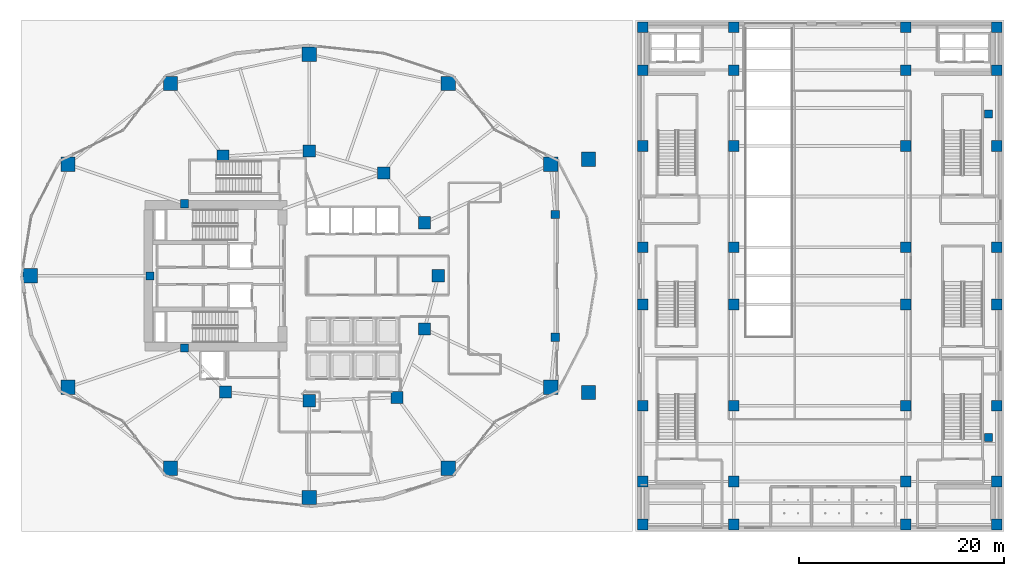
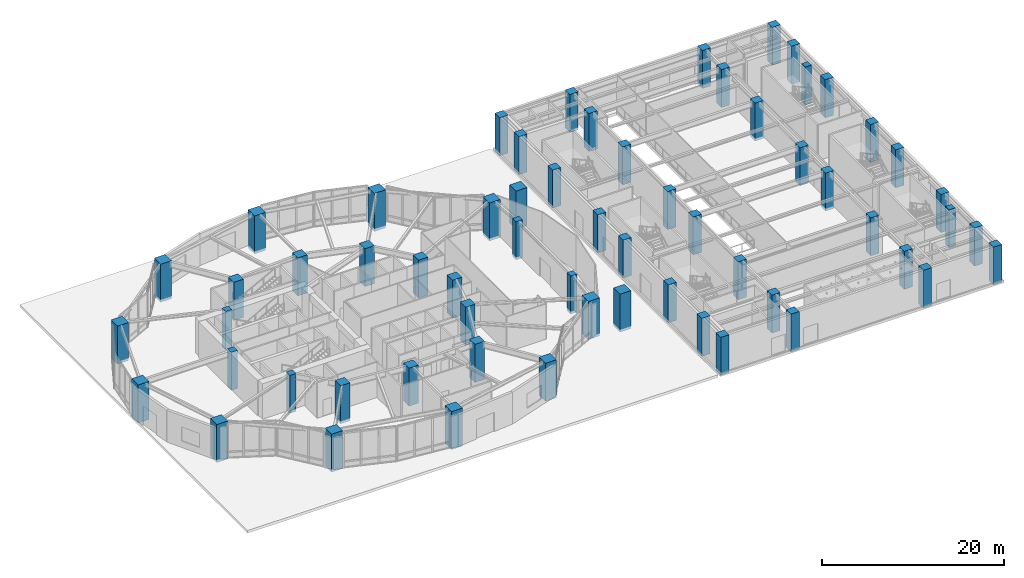
# One storey, part 1 of 23: 61 columns.
"""IFC4 building model written with IfcOpenShell, lengths in metres."""

from ifc_helpers import new_model, si_unit, direction, frame, origin, origin_2d, place, context, subcontext, project, spatial, rectangle, extrude, material, material_profile, profile_set, type_object, element, save


model = new_model("IFC4")

# Units and contexts
model_context = context("Model", 3, precision=1e-05, world=origin(), true_north=direction((0.0, 1.0)))
body_context = subcontext(model_context, "Body", "Model", "MODEL_VIEW")
ifc_project = project(units=[si_unit("LENGTHUNIT", "METRE"), si_unit("AREAUNIT", "SQUARE_METRE"), si_unit("VOLUMEUNIT", "CUBIC_METRE"), si_unit("PLANEANGLEUNIT", "RADIAN"), si_unit("MASSUNIT", "GRAM", prefix="KILO")], contexts=[model_context])

# Site, building, storey
site_placement = place(None, origin())
site = spatial("IfcSite", under=ifc_project, at=site_placement, CompositionType="ELEMENT")
building_placement = place(site_placement, origin())
building = spatial("IfcBuilding", under=site, at=building_placement, Name="Kolvaren Gate Tower and Convention Centre", CompositionType="ELEMENT")
storey_placement = place(building_placement, origin())
storey = spatial("IfcBuildingStorey", under=building, at=storey_placement, Name="L00", CompositionType="ELEMENT", Elevation=0.0)

# Columns
ifc_material_1 = material(Name="Concrete C60/75", Category="concrete")
ifc_material_profile_1 = material_profile(ifc_material_1, rectangle(XDim=1.050048828125, YDim=1.050048828125, at=origin_2d()), Name="RC-COL-1050X1050")
ifc_profile_set_1 = profile_set([ifc_material_profile_1], Name="Concrete C60/75")
column_type_1 = type_object("IfcColumnType", Name="STR-COL-RC1050", PredefinedType="COLUMN", material=ifc_profile_set_1)
for number, where, z_axis, x_axis, name in (
    (1, (62.699951171875, 2.699951171875, -0.360107421875), (0.0, 0.0, 1.0), (1.0, 0.0, 0.0), "Convention L00 Column CC-11"),
    (2, (62.699951171875, 6.89990234375, -0.360107421875), (0.0, 0.0, 1.0), (1.0, 0.0, 0.0), "Convention L00 Column CC-12"),
    (3, (62.699951171875, 14.300048828125, -0.360107421875), (0.0, 0.0, 1.0), (1.0, 0.0, 0.0), "Convention L00 Column CC-13"),
    (4, (62.699951171875, 24.199951171875, -0.360107421875), (0.0, 0.0, 1.0), (1.0, 0.0, 0.0), "Convention L00 Column CC-14"),
    (5, (62.699951171875, 29.800048828125, -0.360107421875), (0.0, 0.0, 1.0), (1.0, 0.0, 0.0), "Convention L00 Column CC-15"),
    (6, (62.699951171875, 39.699951171875, -0.360107421875), (0.0, 0.0, 1.0), (1.0, 0.0, 0.0), "Convention L00 Column CC-16"),
    (7, (62.699951171875, 47.10009765625, -0.360107421875), (0.0, 0.0, 1.0), (1.0, 0.0, 0.0), "Convention L00 Column CC-17"),
    (8, (62.699951171875, 51.300048828125, -0.360107421875), (0.0, 0.0, 1.0), (1.0, 0.0, 0.0), "Convention L00 Column CC-18"),
    (9, (71.60009765625, 2.699951171875, -0.360107421875), (0.0, 0.0, 1.0), (1.0, 0.0, 0.0), "Convention L00 Column CC-21"),
    (10, (71.60009765625, 6.89990234375, -0.360107421875), (0.0, 0.0, 1.0), (1.0, 0.0, 0.0), "Convention L00 Column CC-22"),
    (11, (71.60009765625, 14.300048828125, -0.360107421875), (0.0, 0.0, 1.0), (1.0, 0.0, 0.0), "Convention L00 Column CC-23"),
    (12, (71.60009765625, 24.199951171875, -0.360107421875), (0.0, 0.0, 1.0), (1.0, 0.0, 0.0), "Convention L00 Column CC-24"),
    (13, (71.60009765625, 29.800048828125, -0.360107421875), (0.0, 0.0, 1.0), (1.0, 0.0, 0.0), "Convention L00 Column CC-25"),
    (14, (71.60009765625, 39.699951171875, -0.360107421875), (0.0, 0.0, 1.0), (1.0, 0.0, 0.0), "Convention L00 Column CC-26"),
    (15, (71.60009765625, 47.10009765625, -0.360107421875), (0.0, 0.0, 1.0), (1.0, 0.0, 0.0), "Convention L00 Column CC-27"),
    (16, (71.60009765625, 51.300048828125, -0.360107421875), (0.0, 0.0, 1.0), (1.0, 0.0, 0.0), "Convention L00 Column CC-28"),
    (17, (88.39990234375, 2.699951171875, -0.360107421875), (0.0, 0.0, 1.0), (1.0, 0.0, 0.0), "Convention L00 Column CC-31"),
    (18, (88.39990234375, 6.89990234375, -0.360107421875), (0.0, 0.0, 1.0), (1.0, 0.0, 0.0), "Convention L00 Column CC-32"),
    (19, (88.39990234375, 14.300048828125, -0.360107421875), (0.0, 0.0, 1.0), (1.0, 0.0, 0.0), "Convention L00 Column CC-33"),
    (20, (88.39990234375, 24.199951171875, -0.360107421875), (0.0, 0.0, 1.0), (1.0, 0.0, 0.0), "Convention L00 Column CC-34"),
    (21, (88.39990234375, 29.800048828125, -0.360107421875), (0.0, 0.0, 1.0), (1.0, 0.0, 0.0), "Convention L00 Column CC-35"),
    (22, (88.39990234375, 39.699951171875, -0.360107421875), (0.0, 0.0, 1.0), (1.0, 0.0, 0.0), "Convention L00 Column CC-36"),
    (23, (88.39990234375, 47.10009765625, -0.360107421875), (0.0, 0.0, 1.0), (1.0, 0.0, 0.0), "Convention L00 Column CC-37"),
    (24, (88.39990234375, 51.300048828125, -0.360107421875), (0.0, 0.0, 1.0), (1.0, 0.0, 0.0), "Convention L00 Column CC-38"),
    (25, (97.300048828125, 2.699951171875, -0.360107421875), (0.0, 0.0, 1.0), (1.0, 0.0, 0.0), "Convention L00 Column CC-41"),
    (26, (97.300048828125, 6.89990234375, -0.360107421875), (0.0, 0.0, 1.0), (1.0, 0.0, 0.0), "Convention L00 Column CC-42"),
    (27, (97.300048828125, 14.300048828125, -0.360107421875), (0.0, 0.0, 1.0), (1.0, 0.0, 0.0), "Convention L00 Column CC-43"),
    (28, (97.300048828125, 24.199951171875, -0.360107421875), (0.0, 0.0, 1.0), (1.0, 0.0, 0.0), "Convention L00 Column CC-44"),
    (29, (97.300048828125, 29.800048828125, -0.360107421875), (0.0, 0.0, 1.0), (1.0, 0.0, 0.0), "Convention L00 Column CC-45"),
    (30, (97.300048828125, 39.699951171875, -0.360107421875), (0.0, 0.0, 1.0), (1.0, 0.0, 0.0), "Convention L00 Column CC-46"),
    (31, (97.300048828125, 47.10009765625, -0.360107421875), (0.0, 0.0, 1.0), (1.0, 0.0, 0.0), "Convention L00 Column CC-47"),
    (32, (97.300048828125, 51.300048828125, -0.360107421875), (0.0, 0.0, 1.0), (1.0, 0.0, 0.0), "Convention L00 Column CC-48"),
):
    element("IfcColumn", number, at=place(storey_placement, frame(where, z_axis=z_axis, x_axis=x_axis)), inside=storey, type_object=column_type_1, Name=name, PredefinedType="COLUMN", context=body_context, shape_type="SweptSolid", body=[
        extrude(rectangle(XDim=1.050048828125, YDim=1.050048828125, at=origin_2d()), origin(), (0.0, 0.0, 1.0), 5.10009765625),
    ])
ifc_material_2 = material(Name="Concrete C70/85", Category="concrete")
ifc_material_profile_2 = material_profile(ifc_material_2, rectangle(XDim=1.199951171875, YDim=1.199951171875, at=origin_2d()), Name="RC-COL-1200X1200")
ifc_profile_set_2 = profile_set([ifc_material_profile_2], Name="Concrete C70/85")
column_type_2 = type_object("IfcColumnType", Name="STR-COL-RC1200", PredefinedType="COLUMN", material=ifc_profile_set_2)
for number, where, z_axis, x_axis, name in (
    (33, (42.72509765625, 27.0, -0.360107421875), (0.0, 0.0, 1.0), (1.0, 0.0, 0.0), "Tower L00 Interior Column TI-01"),
    (34, (41.382080078125, 32.199462890625, -0.360107421875), (0.0, 0.0, 1.0), (1.0, 0.0, 0.0), "Tower L00 Interior Column TI-02"),
    (35, (37.381591796875, 37.054931640625, -0.360107421875), (0.0, 0.0, 1.0), (1.0, 0.0, 0.0), "Tower L00 Interior Column TI-03"),
    (36, (30.125, 39.199951171875, -0.360107421875), (0.0, 0.0, 1.0), (1.0, 0.0, 0.0), "Tower L00 Interior Column TI-04"),
    (37, (21.697998046875, 38.6767578125, -0.360107421875), (0.0, 0.0, 1.0), (1.0, 0.0, 0.0), "Tower L00 Interior Column TI-05"),
    (38, (21.93212890625, 15.647705078125, -0.360107421875), (0.0, 0.0, 1.0), (1.0, 0.0, 0.0), "Tower L00 Interior Column TI-06"),
    (39, (30.125, 14.800048828125, -0.360107421875), (0.0, 0.0, 1.0), (1.0, 0.0, 0.0), "Tower L00 Interior Column TI-07"),
    (40, (38.6982421875, 15.12060546875, -0.360107421875), (0.0, 0.0, 1.0), (1.0, 0.0, 0.0), "Tower L00 Interior Column TI-08"),
    (41, (41.382080078125, 21.800537109375, -0.360107421875), (0.0, 0.0, 1.0), (1.0, 0.0, 0.0), "Tower L00 Interior Column TI-09"),
):
    element("IfcColumn", number, at=place(storey_placement, frame(where, z_axis=z_axis, x_axis=x_axis)), inside=storey, type_object=column_type_2, Name=name, PredefinedType="COLUMN", context=body_context, shape_type="SweptSolid", body=[
        extrude(rectangle(XDim=1.199951171875, YDim=1.199951171875, at=origin_2d()), origin(), (0.0, 0.0, 1.0), 5.10009765625),
    ])
ifc_material_profile_3 = material_profile(ifc_material_2, rectangle(XDim=1.39990234375, YDim=1.39990234375, at=origin_2d()), Name="RC-COL-1400X1400")
ifc_profile_set_3 = profile_set([ifc_material_profile_3], Name="Concrete C70/85")
column_type_3 = type_object("IfcColumnType", Name="STR-COL-RC1400", PredefinedType="COLUMN", material=ifc_profile_set_3)
for number, where, z_axis, x_axis, name in (
    (42, (53.710205078125, 37.8935546875, -0.360107421875), (0.0, 0.0, 1.0), (1.0, 0.0, 0.0), "Tower L00 Perimeter Supercolumn TP-02"),
    (43, (43.690185546875, 45.79638671875, -0.360107421875), (0.0, 0.0, 1.0), (1.0, 0.0, 0.0), "Tower L00 Perimeter Supercolumn TP-03"),
    (44, (30.125, 48.64990234375, -0.360107421875), (0.0, 0.0, 1.0), (1.0, 0.0, 0.0), "Tower L00 Perimeter Supercolumn TP-04"),
    (45, (16.559814453125, 45.79638671875, -0.360107421875), (0.0, 0.0, 1.0), (1.0, 0.0, 0.0), "Tower L00 Perimeter Supercolumn TP-05"),
    (46, (6.539794921875, 37.8935546875, -0.360107421875), (0.0, 0.0, 1.0), (1.0, 0.0, 0.0), "Tower L00 Perimeter Supercolumn TP-06"),
    (47, (2.85009765625, 27.0, -0.360107421875), (0.0, 0.0, 1.0), (1.0, 0.0, 0.0), "Tower L00 Perimeter Supercolumn TP-07"),
    (48, (6.539794921875, 16.1064453125, -0.360107421875), (0.0, 0.0, 1.0), (1.0, 0.0, 0.0), "Tower L00 Perimeter Supercolumn TP-08"),
    (49, (16.559814453125, 8.20361328125, -0.360107421875), (0.0, 0.0, 1.0), (1.0, 0.0, 0.0), "Tower L00 Perimeter Supercolumn TP-09"),
    (50, (30.125, 5.35009765625, -0.360107421875), (0.0, 0.0, 1.0), (1.0, 0.0, 0.0), "Tower L00 Perimeter Supercolumn TP-10"),
    (51, (43.690185546875, 8.20361328125, -0.360107421875), (0.0, 0.0, 1.0), (1.0, 0.0, 0.0), "Tower L00 Perimeter Supercolumn TP-11"),
    (52, (53.710205078125, 16.1064453125, -0.360107421875), (0.0, 0.0, 1.0), (1.0, 0.0, 0.0), "Tower L00 Perimeter Supercolumn TP-12"),
    (53, (57.39990234375, 15.60009765625, -0.360107421875), (0.0, 0.0, 1.0), (1.0, 0.0, 0.0), "Monumental Arch Skewback Pier AP-1 (L00)"),
    (54, (57.39990234375, 38.39990234375, -0.360107421875), (0.0, 0.0, 1.0), (1.0, 0.0, 0.0), "Monumental Arch Skewback Pier AP-2 (L00)"),
):
    element("IfcColumn", number, at=place(storey_placement, frame(where, z_axis=z_axis, x_axis=x_axis)), inside=storey, type_object=column_type_3, Name=name, PredefinedType="COLUMN", context=body_context, shape_type="SweptSolid", body=[
        extrude(rectangle(XDim=1.39990234375, YDim=1.39990234375, at=origin_2d()), origin(), (0.0, 0.0, 1.0), 5.10009765625),
    ])
ifc_material_profile_4 = material_profile(ifc_material_1, rectangle(XDim=0.800048828125, YDim=0.800048828125, at=origin_2d()), Name="RC-COL-800X800")
ifc_profile_set_4 = profile_set([ifc_material_profile_4], Name="Concrete C60/75")
column_type_4 = type_object("IfcColumnType", Name="STR-PIL-RC800", PredefinedType="PILASTER", material=ifc_profile_set_4)
for number, where, z_axis, x_axis, name in (
    (55, (54.14990234375, 21.0, -0.360107421875), (0.0, 0.0, 1.0), (1.0, 0.0, 0.0), "Arch Portal Pilaster CP-1 (L00)"),
    (56, (54.14990234375, 33.0, -0.360107421875), (0.0, 0.0, 1.0), (1.0, 0.0, 0.0), "Arch Portal Pilaster CP-2 (L00)"),
    (57, (17.9140625, 34.050048828125, -0.360107421875), (0.0, 0.0, 1.0), (1.0, 0.0, 0.0), "Tower L00 Core Boundary Pilaster TC-05"),
    (58, (14.550048828125, 27.0, -0.360107421875), (0.0, 0.0, 1.0), (1.0, 0.0, 0.0), "Tower L00 Core Boundary Pilaster TC-06"),
    (59, (17.9140625, 19.949951171875, -0.360107421875), (0.0, 0.0, 1.0), (1.0, 0.0, 0.0), "Tower L00 Core Boundary Pilaster TC-07"),
    (60, (96.5, 11.199951171875, -0.360107421875), (0.0, 0.0, 1.0), (1.0, 0.0, 0.0), "Convention L00 Wall Pilaster CP-C1"),
    (61, (96.5, 42.800048828125, -0.360107421875), (0.0, 0.0, 1.0), (1.0, 0.0, 0.0), "Convention L00 Wall Pilaster CP-C2"),
):
    element("IfcColumn", number, at=place(storey_placement, frame(where, z_axis=z_axis, x_axis=x_axis)), inside=storey, type_object=column_type_4, Name=name, PredefinedType="PILASTER", context=body_context, shape_type="SweptSolid", body=[
        extrude(rectangle(XDim=0.800048828125, YDim=0.800048828125, at=origin_2d()), origin(), (0.0, 0.0, 1.0), 5.10009765625),
    ])

save(model, "model.ifc")
